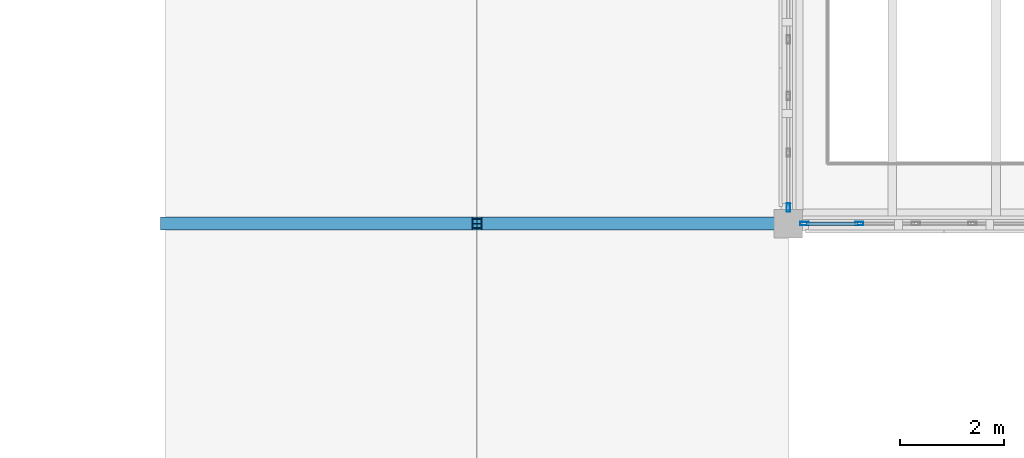
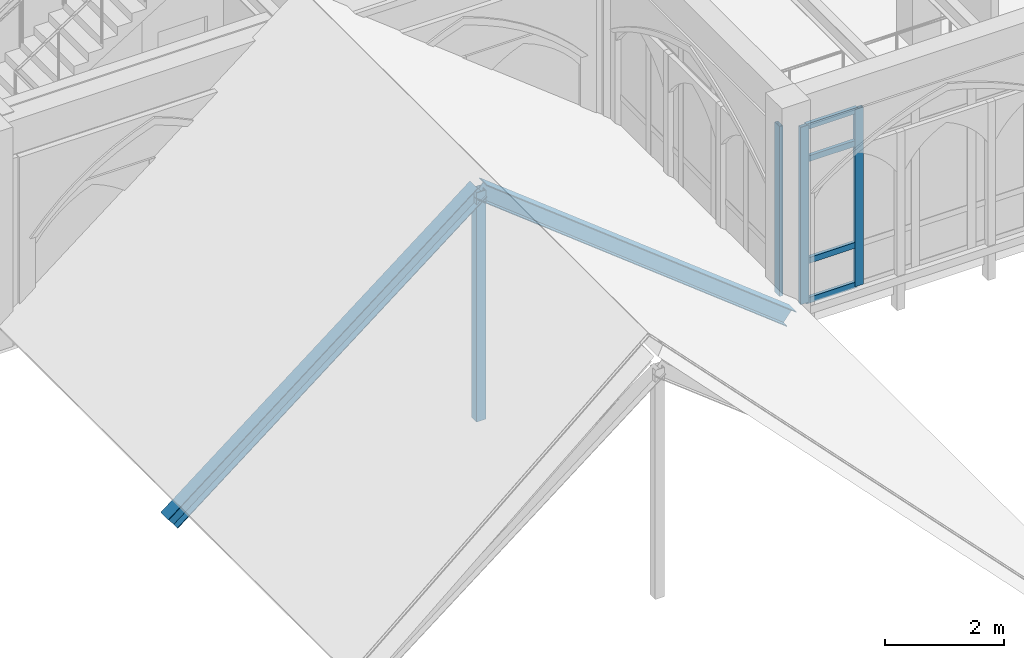
# One storey, part 11 of 108: 10 members, 2 elements without a shape of their own.
"""IFC4 building model written with IfcOpenShell, lengths in metres."""

from ifc_helpers import new_model, si_unit, direction, frame, origin, origin_2d, place, context, subcontext, project, spatial, hollow_rectangle, i_section, extrude, material, layer, layer_set, material_profile, profile_set, type_object, element, aggregate, save


model = new_model("IFC4")

# Units and contexts
model_context = context("Model", 3, precision=1e-05, world=origin(), true_north=direction((0.0, 1.0)))
body_context = subcontext(model_context, "Body", "Model", "MODEL_VIEW")
ifc_project = project(units=[si_unit("LENGTHUNIT", "METRE"), si_unit("AREAUNIT", "SQUARE_METRE"), si_unit("VOLUMEUNIT", "CUBIC_METRE"), si_unit("PLANEANGLEUNIT", "RADIAN"), si_unit("MASSUNIT", "GRAM", prefix="KILO")], contexts=[model_context])

# Site, building, storey
site_placement = place(None, origin())
site = spatial("IfcSite", under=ifc_project, at=site_placement, CompositionType="ELEMENT")
building_placement = place(site_placement, origin())
building = spatial("IfcBuilding", under=site, at=building_placement, Name="Cumevento Cable Car Station", CompositionType="ELEMENT")
storey_placement = place(building_placement, frame((0.0, 0.0, 13.5)))
storey = spatial("IfcBuildingStorey", under=building, at=storey_placement, Name="L04", CompositionType="ELEMENT", Elevation=13.5)

# Curtain wall, members
ifc_material_1 = material(Name="Anodised Bronze Aluminium AW-6063-T6", Category="aluminium")
ifc_layer_1 = layer(ifc_material_1, 0.159912109375)
ifc_layer_set_1 = layer_set([ifc_layer_1], Name="Anodised Bronze Aluminium AW-6063-T6")
curtain_wall_type_1 = type_object("IfcCurtainWallType", Name="Lancet Curtain Wall CW-01 1050", PredefinedType="NOTDEFINED", material=ifc_layer_set_1)
curtain_wall_1_placement = place(storey_placement, origin())
curtain_wall_1 = element("IfcCurtainWall", 1, at=curtain_wall_1_placement, inside=storey, type_object=curtain_wall_type_1, Name="Lancet Curtain Wall CW-01 L04 #144", PredefinedType="NOTDEFINED")
ifc_material_2 = material(Name="Anodised Bronze Aluminium AW-6063-T6", Category="aluminium")
ifc_material_profile_1 = material_profile(ifc_material_2, hollow_rectangle(XDim=0.06494140625, YDim=0.159912109375, WallThickness=0.00390625, at=origin_2d()), Name="ALUM65x160x4")
ifc_profile_set_1 = profile_set([ifc_material_profile_1], Name="Anodised Bronze Aluminium AW-6063-T6")
member_type_1 = type_object("IfcMemberType", Name="Curtain Mullion CWM-01 ALUM65x160x4", PredefinedType="MULLION", material=ifc_profile_set_1)
member_1_placement = place(storey_placement, frame((71.364990234375, 33.0, 0.159912109375), z_axis=(0.0, 0.0, 1.0), x_axis=(0.0, -1.0, 0.0)))
member_1 = element("IfcMember", 2, at=member_1_placement, type_object=member_type_1, Name="CW-01 mullion 5", PredefinedType="MULLION", context=body_context, shape_type="SweptSolid", body=[
    extrude(hollow_rectangle(XDim=0.06494140625, YDim=0.159912109375, WallThickness=0.00390625, at=origin_2d()), origin(), (0.0, 0.0, 1.0), 3.63720703125),
])
member_2_placement = place(storey_placement, frame((70.3076171875, 33.0, 0.159912109375), z_axis=(0.0, 0.0, 1.0), x_axis=(0.0, -1.0, 0.0)))
member_2 = element("IfcMember", 3, at=member_2_placement, type_object=member_type_1, Name="CW-01 mullion 6", PredefinedType="MULLION", context=body_context, shape_type="SweptSolid", body=[
    extrude(hollow_rectangle(XDim=0.06494140625, YDim=0.159912109375, WallThickness=0.00390625, at=origin_2d()), origin(), (0.0, 0.0, 1.0), 3.63720703125),
])

# Curtain wall, member
ifc_material_3 = material(Name="Anodised Bronze Aluminium AW-6063-T6", Category="aluminium")
ifc_layer_2 = layer(ifc_material_3, 0.172119140625)
ifc_layer_set_2 = layer_set([ifc_layer_2], Name="Anodised Bronze Aluminium AW-6063-T6")
curtain_wall_type_2 = type_object("IfcCurtainWallType", Name="Lancet Curtain Wall CW-03 1130", PredefinedType="NOTDEFINED", material=ifc_layer_set_2)
curtain_wall_2_placement = place(storey_placement, origin())
curtain_wall_2 = element("IfcCurtainWall", 4, at=curtain_wall_2_placement, inside=storey, type_object=curtain_wall_type_2, Name="Lancet Curtain Wall CW-03 L04 #146", PredefinedType="NOTDEFINED")
member_3_placement = place(storey_placement, frame((70.0, 33.3076171875, 0.260009765625), z_axis=(0.0, 0.0, 1.0), x_axis=(-1.0, 0.0, 0.0)))
member_3 = element("IfcMember", 5, at=member_3_placement, type_object=member_type_1, Name="CW-03 mullion 1", PredefinedType="MULLION", context=body_context, shape_type="SweptSolid", body=[
    extrude(hollow_rectangle(XDim=0.06494140625, YDim=0.159912109375, WallThickness=0.00390625, at=origin_2d()), origin(), (0.0, 0.0, 1.0), 3.487060546875),
])
aggregate(curtain_wall_2, [member_3])

# Member
ifc_material_4 = material(Name="Anodised Bronze Aluminium AW-6063-T6", Category="aluminium")
ifc_material_profile_2 = material_profile(ifc_material_4, hollow_rectangle(XDim=0.06494140625, YDim=0.1201171875, WallThickness=0.00390625, at=origin_2d()), Name="ALUT65x120x4")
ifc_profile_set_2 = profile_set([ifc_material_profile_2], Name="Anodised Bronze Aluminium AW-6063-T6")
member_type_2 = type_object("IfcMemberType", Name="Curtain Transom CWT-01 ALUT65x120x4", PredefinedType="USERDEFINED", material=ifc_profile_set_2)
member_4_placement = place(storey_placement, frame((71.33251953125, 33.0, 0.1923828125), z_axis=(-1.0, 0.0, 0.0), x_axis=(0.0, -1.0, 0.0)))
member_4 = element("IfcMember", 6, at=member_4_placement, type_object=member_type_2, Name="CW-01 transom 5.1", ObjectType="TRANSOM", PredefinedType="USERDEFINED", context=body_context, shape_type="SweptSolid", body=[
    extrude(hollow_rectangle(XDim=0.06494140625, YDim=0.1201171875, WallThickness=0.00390625, at=origin_2d()), origin(), (0.0, 0.0, 1.0), 0.992431640625),
])

member_5_placement = place(storey_placement, frame((71.33251953125, 33.0, 1.010009765625), z_axis=(-1.0, 0.0, 0.0), x_axis=(0.0, -1.0, 0.0)))
member_5 = element("IfcMember", 7, at=member_5_placement, type_object=member_type_2, Name="CW-01 transom 5.2", ObjectType="TRANSOM", PredefinedType="USERDEFINED", context=body_context, shape_type="SweptSolid", body=[
    extrude(hollow_rectangle(XDim=0.06494140625, YDim=0.1201171875, WallThickness=0.00390625, at=origin_2d()), origin(), (0.0, 0.0, 1.0), 0.992431640625),
])

member_6_placement = place(storey_placement, frame((71.33251953125, 33.0, 3.096923828125), z_axis=(-1.0, 0.0, 0.0), x_axis=(0.0, -1.0, 0.0)))
member_6 = element("IfcMember", 8, at=member_6_placement, type_object=member_type_2, Name="CW-01 transom 5.3", ObjectType="TRANSOM", PredefinedType="USERDEFINED", context=body_context, shape_type="SweptSolid", body=[
    extrude(hollow_rectangle(XDim=0.06494140625, YDim=0.1201171875, WallThickness=0.00390625, at=origin_2d()), origin(), (0.0, 0.0, 1.0), 0.992431640625),
])

member_7_placement = place(storey_placement, frame((71.33251953125, 33.0, 3.764404296875), z_axis=(-1.0, 0.0, 0.0), x_axis=(0.0, -1.0, 0.0)))
member_7 = element("IfcMember", 9, at=member_7_placement, type_object=member_type_2, Name="CW-01 transom 5.4", ObjectType="TRANSOM", PredefinedType="USERDEFINED", context=body_context, shape_type="SweptSolid", body=[
    extrude(hollow_rectangle(XDim=0.06494140625, YDim=0.1201171875, WallThickness=0.00390625, at=origin_2d()), origin(), (0.0, 0.0, 1.0), 0.992431640625),
])

aggregate(curtain_wall_1, [member_1, member_2, member_4, member_5, member_6, member_7])

# Members
ifc_material_5 = material(Name="Steel ASTM A572 Grade 50", Category="steel")
ifc_material_profile_3 = material_profile(ifc_material_5, hollow_rectangle(XDim=0.179931640625, YDim=0.179931640625, WallThickness=0.010009765625, at=origin_2d()), Name="HSS180x180x10.0")
ifc_profile_set_3 = profile_set([ifc_material_profile_3], Name="Steel ASTM A572 Grade 50")
member_type_3 = type_object("IfcMemberType", Name="Framing Brace BR-01 HSS180x180x10.0", PredefinedType="BRACE", material=ifc_profile_set_3)
member_8_placement = place(storey_placement, frame((64.0, 33.0, 0.0), z_axis=(0.0, 0.0, 1.0), x_axis=(1.0, 0.0, 0.0)))
element("IfcMember", 10, at=member_8_placement, inside=storey, type_object=member_type_3, Name="Wing B_V2b King Post #706", PredefinedType="BRACE", context=body_context, shape_type="SweptSolid", body=[
    extrude(hollow_rectangle(XDim=0.179931640625, YDim=0.179931640625, WallThickness=0.010009765625, at=origin_2d()), origin(), (0.0, 0.0, 1.0), 4.699951171875),
])
ifc_material_6 = material(Name="Steel ASTM A572 Grade 50", Category="steel")
ifc_material_profile_4 = material_profile(ifc_material_6, i_section(OverallWidth=0.25390625, OverallDepth=0.305908203125, WebThickness=0.0087890625, FlangeThickness=0.0146484375, at=origin_2d()), Name="W310x79.0")
ifc_profile_set_4 = profile_set([ifc_material_profile_4], Name="Steel ASTM A572 Grade 50")
member_type_4 = type_object("IfcMemberType", Name="Framing Chord TC-03 W310x79.0", PredefinedType="CHORD", material=ifc_profile_set_4)
for number, where, z_axis, x_axis, name in (
    (11, (58.0, 33.0, 0.0), (0.787231163579, 0.0, 0.616658004967), (0.0, 1.0, 0.0), "Wing B_V2b Rafter #707"),
    (12, (70.0, 33.0, 0.0), (-0.787231163579, 0.0, 0.616658004967), (0.0, -1.0, 0.0), "Wing B_V2b Rafter #708"),
):
    element("IfcMember", number, at=place(storey_placement, frame(where, z_axis=z_axis, x_axis=x_axis)), inside=storey, type_object=member_type_4, Name=name, PredefinedType="CHORD", context=body_context, shape_type="SweptSolid", body=[
        extrude(i_section(OverallWidth=0.25390625, OverallDepth=0.305908203125, WebThickness=0.0087890625, FlangeThickness=0.0146484375, at=origin_2d()), origin(), (0.0, 0.0, 1.0), 7.62158203125),
    ])

save(model, "model.ifc")
